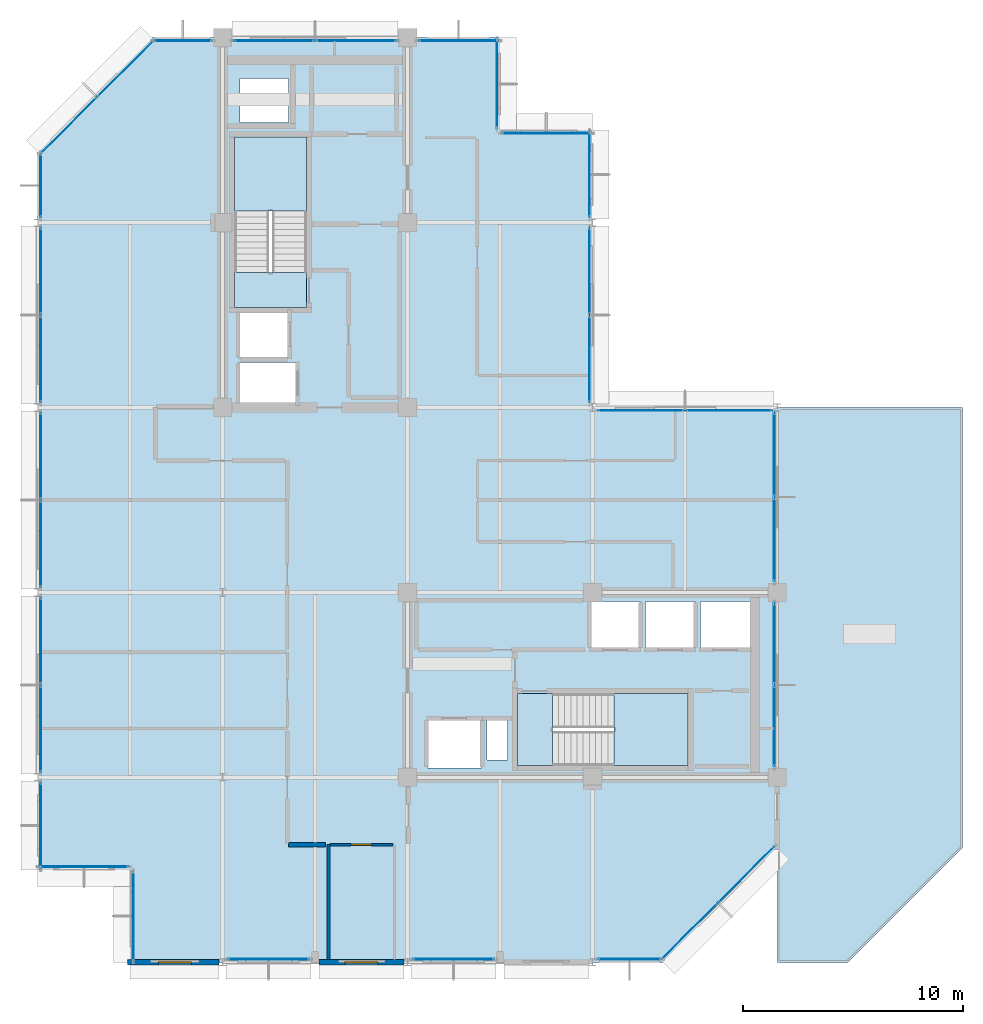
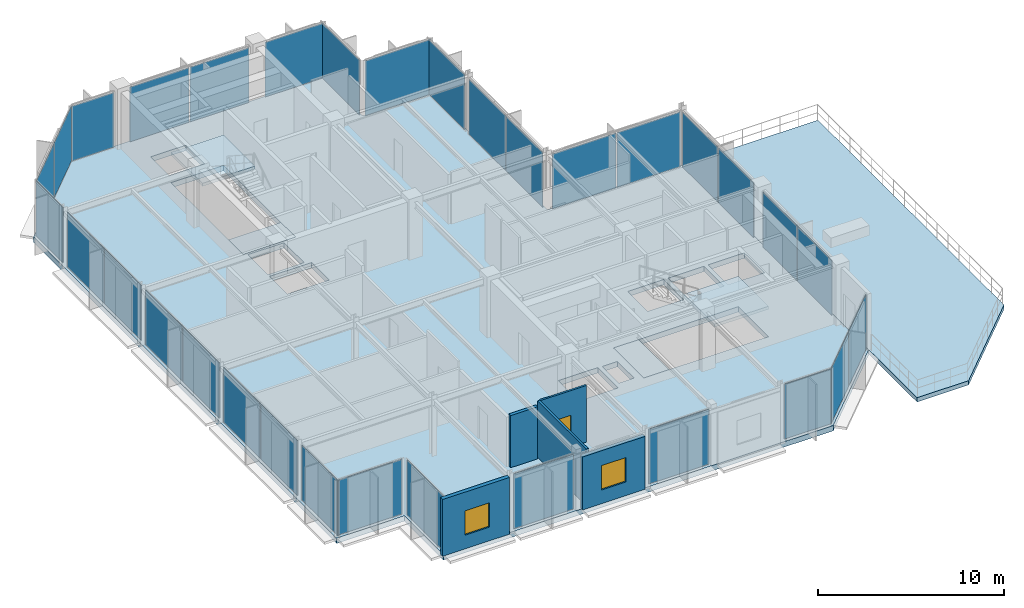
# One storey, part 16 of 23: 32 plates, 6 slabs, 5 walls, 2 windows, 1 door, 3 openings, 24 elements without a shape of their own.
"""IFC4 building model written with IfcOpenShell, lengths in metres."""

import ifcopenshell
import ifcopenshell.guid

model = None  # the IFC model being written
_history = None  # IfcOwnerHistory: only IFC2X3 demands one
_inside = {}  # id of a spatial element -> (the spatial element, [elements in it])
_under = {}  # id of a project, library or spatial element -> (it, [spatial elements below it])
_declared = {}  # id of a project -> (the project, [libraries it declares])
_typed = {}  # id of a type object -> (the type object, [elements of that type])
_made_of = {}  # id of a material, layer set ... -> (it, [elements and type objects made of it])


def new_model(schema):
    """Start an empty IFC model of exactly this schema.

    Asked for "IFC4X3", IfcOpenShell would pick the latest addendum, in which some entities
    have other attributes; the version numbers below select the first issue.
    IFC2X3 requires an IfcOwnerHistory on every rooted entity: one is made here for all.
    """
    global model, _history
    if schema == "IFC4X3":
        model = ifcopenshell.file(schema_version=(4, 3, 0, 0))
    else:
        model = ifcopenshell.file(schema=schema)
    _inside.clear()
    _under.clear()
    _declared.clear()
    _typed.clear()
    _made_of.clear()
    _history = None
    if model.schema == "IFC2X3":
        org = make("IfcOrganization", Name="unknown")
        user = make(
            "IfcPersonAndOrganization",
            ThePerson=make("IfcPerson", FamilyName="unknown"),
            TheOrganization=org,
        )
        app = make(
            "IfcApplication",
            ApplicationDeveloper=org,
            Version="unknown",
            ApplicationFullName="unknown",
            ApplicationIdentifier="unknown",
        )
        _history = make(
            "IfcOwnerHistory",
            OwningUser=user,
            OwningApplication=app,
            ChangeAction="ADDED",
            CreationDate=0,
        )
    return model


def make(cls, **values):
    """One entity of the class cls with the attributes given. An attribute that is None is left unset."""
    return model.create_entity(
        cls, **{name: value for name, value in values.items() if value is not None}
    )


def rooted(cls, **values):
    """An entity with a GlobalId (a new one), such as an element, a storey or a relation."""
    return make(cls, GlobalId=ifcopenshell.guid.new(), OwnerHistory=_history, **values)


def si_unit(unit_type, name, prefix=None):
    """IfcSIUnit, for example si_unit("LENGTHUNIT", "METRE", prefix="MILLI")."""
    return make("IfcSIUnit", UnitType=unit_type, Prefix=prefix, Name=name)


def assignment(units):
    """IfcUnitAssignment: the units of a project."""
    return None if units is None else make("IfcUnitAssignment", Units=units)


def point(xyz):
    """IfcCartesianPoint."""
    return None if xyz is None else make("IfcCartesianPoint", Coordinates=xyz)


def direction(xyz):
    """IfcDirection."""
    return None if xyz is None else make("IfcDirection", DirectionRatios=xyz)


def frame(location, z_axis=None, x_axis=None):
    """IfcAxis2Placement3D, a coordinate frame: its origin and axes. An axis left out is left unset."""
    return make(
        "IfcAxis2Placement3D",
        Location=point(location),
        Axis=direction(z_axis),
        RefDirection=direction(x_axis),
    )


def frame_2d(location, x_axis=None):
    """IfcAxis2Placement2D, a coordinate frame in the plane: its origin and x axis."""
    return make(
        "IfcAxis2Placement2D", Location=point(location), RefDirection=direction(x_axis)
    )


def origin():
    """The frame at (0, 0, 0) with its axes left unset."""
    return frame((0.0, 0.0, 0.0))


def origin_2d():
    """The frame at (0, 0) in the plane with its x axis left unset."""
    return frame_2d((0.0, 0.0))


def place(relative_to, where):
    """IfcLocalPlacement: puts the frame where relative to a parent placement (None: the world)."""
    return make(
        "IfcLocalPlacement", PlacementRelTo=relative_to, RelativePlacement=where
    )


def context(
    kind, dimensions, precision=None, world=None, true_north=None, identifier=None
):
    """IfcGeometricRepresentationContext, for example the 3D "Model" context."""
    return make(
        "IfcGeometricRepresentationContext",
        ContextIdentifier=identifier,
        ContextType=kind,
        CoordinateSpaceDimension=dimensions,
        Precision=precision,
        WorldCoordinateSystem=world,
        TrueNorth=true_north,
    )


def subcontext(parent, identifier, kind, view, scale=None):
    """IfcGeometricRepresentationSubContext, for example "Body" below "Model"."""
    return make(
        "IfcGeometricRepresentationSubContext",
        ContextIdentifier=identifier,
        ContextType=kind,
        ParentContext=parent,
        TargetScale=scale,
        TargetView=view,
    )


def project(units=None, contexts=None):
    """IfcProject with its units and contexts."""
    return rooted(
        "IfcProject",
        Name="project",
        RepresentationContexts=contexts,
        UnitsInContext=assignment(units),
    )


def spatial(cls, under=None, at=None, **own):
    """A site, building, storey or space (cls), placed at a placement, below another one or the project."""
    s = rooted(cls, ObjectPlacement=at, **own)
    if under is not None:
        _under.setdefault(under.id(), (under, []))[1].append(s)
    return s


def polyline(points):
    """IfcPolyline through the points."""
    return make("IfcPolyline", Points=[point(p) for p in points])


def profile(cls, at=None, kind="AREA", **sizes):
    """A parametric profile (cls). Its sizes go by their IFC names, for example OverallWidth=200.0."""
    return make(cls, ProfileType=kind, Position=at, **sizes)


def rectangle(**sizes):
    """IfcRectangleProfileDef."""
    return profile("IfcRectangleProfileDef", **sizes)


def outline(outer, holes=None, kind="AREA"):
    """IfcArbitraryClosedProfileDef: a profile drawn as a closed curve; with holes, ...WithVoids."""
    if holes is None:
        return make("IfcArbitraryClosedProfileDef", ProfileType=kind, OuterCurve=outer)
    return make(
        "IfcArbitraryProfileDefWithVoids",
        ProfileType=kind,
        OuterCurve=outer,
        InnerCurves=holes,
    )


def extrude(swept, where, along, depth):
    """IfcExtrudedAreaSolid: the profile swept, set in the frame where, extruded along a direction by depth."""
    return make(
        "IfcExtrudedAreaSolid",
        SweptArea=swept,
        Position=where,
        ExtrudedDirection=direction(along),
        Depth=depth,
    )


def shape(context_of_items, identifier, shape_type, items):
    """IfcShapeRepresentation: the items that make up one representation, for example the "Body"."""
    return make(
        "IfcShapeRepresentation",
        ContextOfItems=context_of_items,
        RepresentationIdentifier=identifier,
        RepresentationType=shape_type,
        Items=items,
    )


def material(Name=None, Category=None):
    """IfcMaterial."""
    return make("IfcMaterial", Name=Name, Category=Category)


def layer(
    of_material, thickness, ventilated=None, Name=None, Category=None, Priority=None
):
    """IfcMaterialLayer: one layer of a wall or slab, of a material (None: an air gap)."""
    return make(
        "IfcMaterialLayer",
        Material=of_material,
        LayerThickness=thickness,
        IsVentilated=ventilated,
        Name=Name,
        Category=Category,
        Priority=Priority,
    )


def layer_set(layers, Name=None):
    """IfcMaterialLayerSet."""
    return make("IfcMaterialLayerSet", MaterialLayers=layers, LayerSetName=Name)


def made_of(thing, what):
    """Note that an element or type object is made of a material, layer set ...; save() writes the relation."""
    if what is not None:
        _made_of.setdefault(what.id(), (what, []))[1].append(thing)
    return thing


def type_object(cls, material=None, **own):
    """A type object (cls), such as IfcWallType, which elements share."""
    return made_of(rooted(cls, **own), material)


def element(
    cls,
    number,
    at=None,
    inside=None,
    cuts=None,
    type_object=None,
    material=None,
    context=None,
    identifier="Body",
    shape_type=None,
    held_by="IfcProductDefinitionShape",
    body=None,
    shapes=None,
    **own,
):
    """One element of the class cls, such as IfcWall. Its Tag is "e" and its number.

    at: its placement. inside: the storey or other place that contains it. cuts: it is an
    opening in that element (IfcRelVoidsElement). A single representation is given by context,
    identifier, shape_type and body (its items); several are given by shapes. held_by: the class
    of the entity that holds the representations. save() writes the other relations.
    """
    e = rooted(cls, Tag="e%d" % number, ObjectPlacement=at, **own)
    if body is not None:
        shapes = [shape(context, identifier, shape_type, body)]
    if shapes is not None:
        e.Representation = make(held_by, Representations=shapes)
    if inside is not None:
        _inside.setdefault(inside.id(), (inside, []))[1].append(e)
    if cuts is not None:
        rooted(
            "IfcRelVoidsElement", RelatingBuildingElement=cuts, RelatedOpeningElement=e
        )
    if type_object is not None:
        _typed.setdefault(type_object.id(), (type_object, []))[1].append(e)
    return made_of(e, material)


def fill(opening, filler):
    """IfcRelFillsElement: the door or window that sits in an opening."""
    return rooted(
        "IfcRelFillsElement",
        RelatingOpeningElement=opening,
        RelatedBuildingElement=filler,
    )


def aggregate(whole, parts):
    """IfcRelAggregates: a whole, such as a stair, and the parts it consists of."""
    return rooted("IfcRelAggregates", RelatingObject=whole, RelatedObjects=parts)


def save(model, path):
    """Write the relations noted so far, then the file.

    IfcRelAggregates (storeys below a building ...), IfcRelContainedInSpatialStructure (elements
    in a storey), IfcRelDefinesByType, IfcRelAssociatesMaterial and IfcRelDeclares: one each for
    every whole, place, type object, material and project.
    """
    for whole, parts in _under.values():
        aggregate(whole, parts)
    for where, things in _inside.values():
        rooted(
            "IfcRelContainedInSpatialStructure",
            RelatedElements=things,
            RelatingStructure=where,
        )
    for kind, things in _typed.values():
        rooted("IfcRelDefinesByType", RelatedObjects=things, RelatingType=kind)
    for what, things in _made_of.values():
        rooted("IfcRelAssociatesMaterial", RelatedObjects=things, RelatingMaterial=what)
    for by, libraries in _declared.values():
        rooted("IfcRelDeclares", RelatingContext=by, RelatedDefinitions=libraries)
    model.write(path)


model = new_model("IFC4")

# Units and contexts
model_context = context("Model", 3, precision=1e-05, world=origin(), true_north=direction((0.0, 1.0)))
body_context = subcontext(model_context, "Body", "Model", "MODEL_VIEW")
ifc_project = project(units=[si_unit("LENGTHUNIT", "METRE"), si_unit("AREAUNIT", "SQUARE_METRE"), si_unit("VOLUMEUNIT", "CUBIC_METRE"), si_unit("PLANEANGLEUNIT", "RADIAN"), si_unit("MASSUNIT", "GRAM", prefix="KILO")], contexts=[model_context])

# Site, building, storey
site_placement = place(None, origin())
site = spatial("IfcSite", under=ifc_project, at=site_placement, CompositionType="ELEMENT")
building_placement = place(site_placement, origin())
building = spatial("IfcBuilding", under=site, at=building_placement, Name="Nerrivon Quay Data Exchange", CompositionType="ELEMENT")
storey_placement = place(building_placement, frame((0.0, 0.0, 286.199951171875)))
storey = spatial("IfcBuildingStorey", under=building, at=storey_placement, Name="L68", CompositionType="ELEMENT", Elevation=286.199951171875)

# Curtain wall, plates
ifc_material_1 = material(Name="Anodised aluminium 6063-T6", Category="aluminium")
ifc_layer_1 = layer(ifc_material_1, 0.22998046875)
ifc_layer_set_1 = layer_set([ifc_layer_1], Name="Anodised aluminium 6063-T6")
curtain_wall_type = type_object("IfcCurtainWallType", Name="CW-SYS-05", PredefinedType="NOTDEFINED", material=ifc_layer_set_1)
curtain_wall_1_placement = place(storey_placement, origin())
curtain_wall_1 = element("IfcCurtainWall", 1, at=curtain_wall_1_placement, inside=storey, type_object=curtain_wall_type, Name="L68 Unitised Curtain Wall 1", PredefinedType="NOTDEFINED")
ifc_material_2 = material(Name="Double-glazed low-E solar control glass", Category="glass")
ifc_layer_2 = layer(ifc_material_2, 0.031982421875)
ifc_layer_set_2 = layer_set([ifc_layer_2], Name="Double-glazed low-E solar control glass")
plate_type = type_object("IfcPlateType", Name="CWP-GLZ-32", PredefinedType="CURTAIN_PANEL", material=ifc_layer_set_2)
plate_1_placement = place(storey_placement, frame((32.187744140625, 3.98583984375, 0.06494140625), z_axis=(0.0, 0.0, 1.0), x_axis=(-0.707106781187, -0.707106781187, 0.0)))
plate_1 = element("IfcPlate", 2, at=plate_1_placement, type_object=plate_type, Name="CW05 panel 1.1", PredefinedType="CURTAIN_PANEL", context=body_context, shape_type="SweptSolid", body=[
    extrude(rectangle(XDim=3.564453125, YDim=0.028076171875, at=origin_2d()), origin(), (0.0, 0.0, 1.0), 3.594970703125),
])
plate_2_placement = place(storey_placement, frame((29.6142578125, 1.412353515625, 0.06494140625), z_axis=(0.0, 0.0, 1.0), x_axis=(-0.707106781187, -0.707106781187, 0.0)))
plate_2 = element("IfcPlate", 3, at=plate_2_placement, type_object=plate_type, Name="CW05 panel 2.1", PredefinedType="CURTAIN_PANEL", context=body_context, shape_type="SweptSolid", body=[
    extrude(rectangle(XDim=3.564453125, YDim=0.028076171875, at=origin_2d()), origin(), (0.0, 0.0, 1.0), 3.594970703125),
])
aggregate(curtain_wall_1, [plate_1, plate_2])

# Curtain wall, plate
curtain_wall_2_placement = place(storey_placement, origin())
curtain_wall_2 = element("IfcCurtainWall", 4, at=curtain_wall_2_placement, inside=storey, type_object=curtain_wall_type, Name="L68 Unitised Curtain Wall 2", PredefinedType="NOTDEFINED")
plate_3_placement = place(storey_placement, frame((26.877685546875, 0.139892578125, 0.06494140625), z_axis=(0.0, 0.0, 1.0), x_axis=(-1.0, 0.0, 0.0)))
plate_3 = element("IfcPlate", 5, at=plate_3_placement, type_object=plate_type, Name="CW05 panel 1.1", PredefinedType="CURTAIN_PANEL", context=body_context, shape_type="SweptSolid", body=[
    extrude(rectangle(XDim=2.89453125, YDim=0.028076171875, at=origin_2d()), origin(), (0.0, 0.0, 1.0), 3.594970703125),
])
aggregate(curtain_wall_2, [plate_3])

curtain_wall_3_placement = place(storey_placement, origin())
curtain_wall_3 = element("IfcCurtainWall", 6, at=curtain_wall_3_placement, inside=storey, type_object=curtain_wall_type, Name="L68 Unitised Curtain Wall 4", PredefinedType="NOTDEFINED")
plate_4_placement = place(storey_placement, frame((18.89013671875, 0.139892578125, 0.06494140625), z_axis=(0.0, 0.0, 1.0), x_axis=(-1.0, 0.0, 0.0)))
plate_4 = element("IfcPlate", 7, at=plate_4_placement, type_object=plate_type, Name="CW05 panel 1.1", PredefinedType="CURTAIN_PANEL", context=body_context, shape_type="SweptSolid", body=[
    extrude(rectangle(XDim=3.719482421875, YDim=0.028076171875, at=origin_2d()), origin(), (0.0, 0.0, 1.0), 3.594970703125),
])
aggregate(curtain_wall_3, [plate_4])

curtain_wall_4_placement = place(storey_placement, origin())
curtain_wall_4 = element("IfcCurtainWall", 8, at=curtain_wall_4_placement, inside=storey, type_object=curtain_wall_type, Name="L68 Unitised Curtain Wall 6", PredefinedType="NOTDEFINED")
plate_5_placement = place(storey_placement, frame((10.490234375, 0.139892578125, 0.06494140625), z_axis=(0.0, 0.0, 1.0), x_axis=(-1.0, 0.0, 0.0)))
plate_5 = element("IfcPlate", 9, at=plate_5_placement, type_object=plate_type, Name="CW05 panel 1.1", PredefinedType="CURTAIN_PANEL", context=body_context, shape_type="SweptSolid", body=[
    extrude(rectangle(XDim=3.719482421875, YDim=0.028076171875, at=origin_2d()), origin(), (0.0, 0.0, 1.0), 3.594970703125),
])
aggregate(curtain_wall_4, [plate_5])

curtain_wall_5_placement = place(storey_placement, origin())
curtain_wall_5 = element("IfcCurtainWall", 10, at=curtain_wall_5_placement, inside=storey, type_object=curtain_wall_type, Name="L68 Unitised Curtain Wall 8", PredefinedType="NOTDEFINED")
plate_6_placement = place(storey_placement, frame((4.340087890625, 2.10009765625, 0.06494140625), z_axis=(0.0, 0.0, 1.0), x_axis=(0.0, 1.0, 0.0)))
plate_6 = element("IfcPlate", 11, at=plate_6_placement, type_object=plate_type, Name="CW05 panel 1.1", PredefinedType="CURTAIN_PANEL", context=body_context, shape_type="SweptSolid", body=[
    extrude(rectangle(XDim=4.050048828125, YDim=0.028076171875, at=origin_2d()), origin(), (0.0, 0.0, 1.0), 3.594970703125),
])
aggregate(curtain_wall_5, [plate_6])

curtain_wall_6_placement = place(storey_placement, origin())
curtain_wall_6 = element("IfcCurtainWall", 12, at=curtain_wall_6_placement, inside=storey, type_object=curtain_wall_type, Name="L68 Unitised Curtain Wall 9", PredefinedType="NOTDEFINED")
plate_7_placement = place(storey_placement, frame((2.10009765625, 4.340087890625, 0.06494140625), z_axis=(0.0, 0.0, 1.0), x_axis=(-1.0, 0.0, 0.0)))
plate_7 = element("IfcPlate", 13, at=plate_7_placement, type_object=plate_type, Name="CW05 panel 1.1", PredefinedType="CURTAIN_PANEL", context=body_context, shape_type="SweptSolid", body=[
    extrude(rectangle(XDim=4.050048828125, YDim=0.028076171875, at=origin_2d()), origin(), (0.0, 0.0, 1.0), 3.594970703125),
])
aggregate(curtain_wall_6, [plate_7])

curtain_wall_7_placement = place(storey_placement, origin())
curtain_wall_7 = element("IfcCurtainWall", 14, at=curtain_wall_7_placement, inside=storey, type_object=curtain_wall_type, Name="L68 Unitised Curtain Wall 10", PredefinedType="NOTDEFINED")
plate_8_placement = place(storey_placement, frame((0.139892578125, 6.21826171875, 0.06494140625), z_axis=(0.0, 0.0, 1.0), x_axis=(0.0, 1.0, 0.0)))
plate_8 = element("IfcPlate", 15, at=plate_8_placement, type_object=plate_type, Name="CW05 panel 1.1", PredefinedType="CURTAIN_PANEL", context=body_context, shape_type="SweptSolid", body=[
    extrude(rectangle(XDim=3.886474609375, YDim=0.028076171875, at=origin_2d()), origin(), (0.0, 0.0, 1.0), 3.594970703125),
])
aggregate(curtain_wall_7, [plate_8])

# Curtain wall, plates
curtain_wall_8_placement = place(storey_placement, origin())
curtain_wall_8 = element("IfcCurtainWall", 16, at=curtain_wall_8_placement, inside=storey, type_object=curtain_wall_type, Name="L68 Unitised Curtain Wall 11", PredefinedType="NOTDEFINED")
plate_9_placement = place(storey_placement, frame((0.139892578125, 10.6005859375, 0.06494140625), z_axis=(0.0, 0.0, 1.0), x_axis=(0.0, 1.0, 0.0)))
plate_9 = element("IfcPlate", 17, at=plate_9_placement, type_object=plate_type, Name="CW05 panel 1.1", PredefinedType="CURTAIN_PANEL", context=body_context, shape_type="SweptSolid", body=[
    extrude(rectangle(XDim=3.924072265625, YDim=0.028076171875, at=origin_2d()), origin(), (0.0, 0.0, 1.0), 3.594970703125),
])
plate_10_placement = place(storey_placement, frame((0.139892578125, 14.599609375, 0.06494140625), z_axis=(0.0, 0.0, 1.0), x_axis=(0.0, 1.0, 0.0)))
plate_10 = element("IfcPlate", 18, at=plate_10_placement, type_object=plate_type, Name="CW05 panel 2.1", PredefinedType="CURTAIN_PANEL", context=body_context, shape_type="SweptSolid", body=[
    extrude(rectangle(XDim=3.924072265625, YDim=0.028076171875, at=origin_2d()), origin(), (0.0, 0.0, 1.0), 3.594970703125),
])
aggregate(curtain_wall_8, [plate_9, plate_10])

curtain_wall_9_placement = place(storey_placement, origin())
curtain_wall_9 = element("IfcCurtainWall", 19, at=curtain_wall_9_placement, inside=storey, type_object=curtain_wall_type, Name="L68 Unitised Curtain Wall 12", PredefinedType="NOTDEFINED")
plate_11_placement = place(storey_placement, frame((0.139892578125, 19.00048828125, 0.06494140625), z_axis=(0.0, 0.0, 1.0), x_axis=(0.0, 1.0, 0.0)))
plate_11 = element("IfcPlate", 20, at=plate_11_placement, type_object=plate_type, Name="CW05 panel 1.1", PredefinedType="CURTAIN_PANEL", context=body_context, shape_type="SweptSolid", body=[
    extrude(rectangle(XDim=3.924072265625, YDim=0.028076171875, at=origin_2d()), origin(), (0.0, 0.0, 1.0), 3.594970703125),
])
plate_12_placement = place(storey_placement, frame((0.139892578125, 22.99951171875, 0.06494140625), z_axis=(0.0, 0.0, 1.0), x_axis=(0.0, 1.0, 0.0)))
plate_12 = element("IfcPlate", 21, at=plate_12_placement, type_object=plate_type, Name="CW05 panel 2.1", PredefinedType="CURTAIN_PANEL", context=body_context, shape_type="SweptSolid", body=[
    extrude(rectangle(XDim=3.924072265625, YDim=0.028076171875, at=origin_2d()), origin(), (0.0, 0.0, 1.0), 3.594970703125),
])
aggregate(curtain_wall_9, [plate_11, plate_12])

curtain_wall_10_placement = place(storey_placement, origin())
curtain_wall_10 = element("IfcCurtainWall", 22, at=curtain_wall_10_placement, inside=storey, type_object=curtain_wall_type, Name="L68 Unitised Curtain Wall 13", PredefinedType="NOTDEFINED")
plate_13_placement = place(storey_placement, frame((0.139892578125, 27.400390625, 0.06494140625), z_axis=(0.0, 0.0, 1.0), x_axis=(0.0, 1.0, 0.0)))
plate_13 = element("IfcPlate", 23, at=plate_13_placement, type_object=plate_type, Name="CW05 panel 1.1", PredefinedType="CURTAIN_PANEL", context=body_context, shape_type="SweptSolid", body=[
    extrude(rectangle(XDim=3.924072265625, YDim=0.028076171875, at=origin_2d()), origin(), (0.0, 0.0, 1.0), 3.594970703125),
])
plate_14_placement = place(storey_placement, frame((0.139892578125, 31.3994140625, 0.06494140625), z_axis=(0.0, 0.0, 1.0), x_axis=(0.0, 1.0, 0.0)))
plate_14 = element("IfcPlate", 24, at=plate_14_placement, type_object=plate_type, Name="CW05 panel 2.1", PredefinedType="CURTAIN_PANEL", context=body_context, shape_type="SweptSolid", body=[
    extrude(rectangle(XDim=3.924072265625, YDim=0.028076171875, at=origin_2d()), origin(), (0.0, 0.0, 1.0), 3.594970703125),
])
aggregate(curtain_wall_10, [plate_13, plate_14])

# Curtain wall, plate
curtain_wall_11_placement = place(storey_placement, origin())
curtain_wall_11 = element("IfcCurtainWall", 25, at=curtain_wall_11_placement, inside=storey, type_object=curtain_wall_type, Name="L68 Unitised Curtain Wall 14", PredefinedType="NOTDEFINED")
plate_15_placement = place(storey_placement, frame((0.139892578125, 35.28173828125, 0.06494140625), z_axis=(0.0, 0.0, 1.0), x_axis=(0.0, 1.0, 0.0)))
plate_15 = element("IfcPlate", 26, at=plate_15_placement, type_object=plate_type, Name="CW05 panel 1.1", PredefinedType="CURTAIN_PANEL", context=body_context, shape_type="SweptSolid", body=[
    extrude(rectangle(XDim=2.886474609375, YDim=0.028076171875, at=origin_2d()), origin(), (0.0, 0.0, 1.0), 3.594970703125),
])
aggregate(curtain_wall_11, [plate_15])

# Curtain wall, plates
curtain_wall_12_placement = place(storey_placement, origin())
curtain_wall_12 = element("IfcCurtainWall", 27, at=curtain_wall_12_placement, inside=storey, type_object=curtain_wall_type, Name="L68 Unitised Curtain Wall 15", PredefinedType="NOTDEFINED")
plate_16_placement = place(storey_placement, frame((1.412353515625, 38.01416015625, 0.06494140625), z_axis=(0.0, 0.0, 1.0), x_axis=(0.707106781187, 0.707106781187, 0.0)))
plate_16 = element("IfcPlate", 28, at=plate_16_placement, type_object=plate_type, Name="CW05 panel 1.1", PredefinedType="CURTAIN_PANEL", context=body_context, shape_type="SweptSolid", body=[
    extrude(rectangle(XDim=3.564453125, YDim=0.028076171875, at=origin_2d()), origin(), (0.0, 0.0, 1.0), 3.594970703125),
])
plate_17_placement = place(storey_placement, frame((3.98583984375, 40.587646484375, 0.06494140625), z_axis=(0.0, 0.0, 1.0), x_axis=(0.707106781187, 0.707106781187, 0.0)))
plate_17 = element("IfcPlate", 29, at=plate_17_placement, type_object=plate_type, Name="CW05 panel 2.1", PredefinedType="CURTAIN_PANEL", context=body_context, shape_type="SweptSolid", body=[
    extrude(rectangle(XDim=3.564453125, YDim=0.028076171875, at=origin_2d()), origin(), (0.0, 0.0, 1.0), 3.594970703125),
])
aggregate(curtain_wall_12, [plate_16, plate_17])

# Curtain wall, plate
curtain_wall_13_placement = place(storey_placement, origin())
curtain_wall_13 = element("IfcCurtainWall", 30, at=curtain_wall_13_placement, inside=storey, type_object=curtain_wall_type, Name="L68 Unitised Curtain Wall 16", PredefinedType="NOTDEFINED")
plate_18_placement = place(storey_placement, frame((6.58740234375, 41.860107421875, 0.06494140625), z_axis=(0.0, 0.0, 1.0), x_axis=(1.0, 0.0, 0.0)))
plate_18 = element("IfcPlate", 31, at=plate_18_placement, type_object=plate_type, Name="CW05 panel 1.1", PredefinedType="CURTAIN_PANEL", context=body_context, shape_type="SweptSolid", body=[
    extrude(rectangle(XDim=2.625, YDim=0.028076171875, at=origin_2d()), origin(), (0.0, 0.0, 1.0), 3.594970703125),
])
aggregate(curtain_wall_13, [plate_18])

# Curtain wall, plates
curtain_wall_14_placement = place(storey_placement, origin())
curtain_wall_14 = element("IfcCurtainWall", 32, at=curtain_wall_14_placement, inside=storey, type_object=curtain_wall_type, Name="L68 Unitised Curtain Wall 17", PredefinedType="NOTDEFINED")
plate_19_placement = place(storey_placement, frame((10.731201171875, 41.860107421875, 0.06494140625), z_axis=(0.0, 0.0, 1.0), x_axis=(1.0, 0.0, 0.0)))
plate_19 = element("IfcPlate", 33, at=plate_19_placement, type_object=plate_type, Name="CW05 panel 1.1", PredefinedType="CURTAIN_PANEL", context=body_context, shape_type="SweptSolid", body=[
    extrude(rectangle(XDim=3.66259765625, YDim=0.028076171875, at=origin_2d()), origin(), (0.0, 0.0, 1.0), 3.594970703125),
])
plate_20_placement = place(storey_placement, frame((14.46875, 41.860107421875, 0.06494140625), z_axis=(0.0, 0.0, 1.0), x_axis=(1.0, 0.0, 0.0)))
plate_20 = element("IfcPlate", 34, at=plate_20_placement, type_object=plate_type, Name="CW05 panel 2.1", PredefinedType="CURTAIN_PANEL", context=body_context, shape_type="SweptSolid", body=[
    extrude(rectangle(XDim=3.66259765625, YDim=0.028076171875, at=origin_2d()), origin(), (0.0, 0.0, 1.0), 3.594970703125),
])
aggregate(curtain_wall_14, [plate_19, plate_20])

# Curtain wall, plate
curtain_wall_15_placement = place(storey_placement, origin())
curtain_wall_15 = element("IfcCurtainWall", 35, at=curtain_wall_15_placement, inside=storey, type_object=curtain_wall_type, Name="L68 Unitised Curtain Wall 18", PredefinedType="NOTDEFINED")
plate_21_placement = place(storey_placement, frame((19.112548828125, 41.860107421875, 0.06494140625), z_axis=(0.0, 0.0, 1.0), x_axis=(1.0, 0.0, 0.0)))
plate_21 = element("IfcPlate", 36, at=plate_21_placement, type_object=plate_type, Name="CW05 panel 1.1", PredefinedType="CURTAIN_PANEL", context=body_context, shape_type="SweptSolid", body=[
    extrude(rectangle(XDim=3.625, YDim=0.028076171875, at=origin_2d()), origin(), (0.0, 0.0, 1.0), 3.594970703125),
])
aggregate(curtain_wall_15, [plate_21])

curtain_wall_16_placement = place(storey_placement, origin())
curtain_wall_16 = element("IfcCurtainWall", 37, at=curtain_wall_16_placement, inside=storey, type_object=curtain_wall_type, Name="L68 Unitised Curtain Wall 19", PredefinedType="NOTDEFINED")
plate_22_placement = place(storey_placement, frame((20.860107421875, 39.89990234375, 0.06494140625), z_axis=(0.0, 0.0, 1.0), x_axis=(0.0, -1.0, 0.0)))
plate_22 = element("IfcPlate", 38, at=plate_22_placement, type_object=plate_type, Name="CW05 panel 1.1", PredefinedType="CURTAIN_PANEL", context=body_context, shape_type="SweptSolid", body=[
    extrude(rectangle(XDim=4.050048828125, YDim=0.028076171875, at=origin_2d()), origin(), (0.0, 0.0, 1.0), 3.594970703125),
])
aggregate(curtain_wall_16, [plate_22])

curtain_wall_17_placement = place(storey_placement, origin())
curtain_wall_17 = element("IfcCurtainWall", 39, at=curtain_wall_17_placement, inside=storey, type_object=curtain_wall_type, Name="L68 Unitised Curtain Wall 20", PredefinedType="NOTDEFINED")
plate_23_placement = place(storey_placement, frame((23.10009765625, 37.659912109375, 0.06494140625), z_axis=(0.0, 0.0, 1.0), x_axis=(1.0, 0.0, 0.0)))
plate_23 = element("IfcPlate", 40, at=plate_23_placement, type_object=plate_type, Name="CW05 panel 1.1", PredefinedType="CURTAIN_PANEL", context=body_context, shape_type="SweptSolid", body=[
    extrude(rectangle(XDim=4.050048828125, YDim=0.028076171875, at=origin_2d()), origin(), (0.0, 0.0, 1.0), 3.594970703125),
])
aggregate(curtain_wall_17, [plate_23])

curtain_wall_18_placement = place(storey_placement, origin())
curtain_wall_18 = element("IfcCurtainWall", 41, at=curtain_wall_18_placement, inside=storey, type_object=curtain_wall_type, Name="L68 Unitised Curtain Wall 21", PredefinedType="NOTDEFINED")
plate_24_placement = place(storey_placement, frame((25.06005859375, 35.78173828125, 0.06494140625), z_axis=(0.0, 0.0, 1.0), x_axis=(0.0, -1.0, 0.0)))
plate_24 = element("IfcPlate", 42, at=plate_24_placement, type_object=plate_type, Name="CW05 panel 1.1", PredefinedType="CURTAIN_PANEL", context=body_context, shape_type="SweptSolid", body=[
    extrude(rectangle(XDim=3.886474609375, YDim=0.028076171875, at=origin_2d()), origin(), (0.0, 0.0, 1.0), 3.594970703125),
])
aggregate(curtain_wall_18, [plate_24])

# Curtain wall, plates
curtain_wall_19_placement = place(storey_placement, origin())
curtain_wall_19 = element("IfcCurtainWall", 43, at=curtain_wall_19_placement, inside=storey, type_object=curtain_wall_type, Name="L68 Unitised Curtain Wall 22", PredefinedType="NOTDEFINED")
plate_25_placement = place(storey_placement, frame((25.06005859375, 31.3994140625, 0.06494140625), z_axis=(0.0, 0.0, 1.0), x_axis=(0.0, -1.0, 0.0)))
plate_25 = element("IfcPlate", 44, at=plate_25_placement, type_object=plate_type, Name="CW05 panel 1.1", PredefinedType="CURTAIN_PANEL", context=body_context, shape_type="SweptSolid", body=[
    extrude(rectangle(XDim=3.924072265625, YDim=0.028076171875, at=origin_2d()), origin(), (0.0, 0.0, 1.0), 3.594970703125),
])
plate_26_placement = place(storey_placement, frame((25.06005859375, 27.400390625, 0.06494140625), z_axis=(0.0, 0.0, 1.0), x_axis=(0.0, -1.0, 0.0)))
plate_26 = element("IfcPlate", 45, at=plate_26_placement, type_object=plate_type, Name="CW05 panel 2.1", PredefinedType="CURTAIN_PANEL", context=body_context, shape_type="SweptSolid", body=[
    extrude(rectangle(XDim=3.924072265625, YDim=0.028076171875, at=origin_2d()), origin(), (0.0, 0.0, 1.0), 3.594970703125),
])
aggregate(curtain_wall_19, [plate_25, plate_26])

curtain_wall_20_placement = place(storey_placement, origin())
curtain_wall_20 = element("IfcCurtainWall", 46, at=curtain_wall_20_placement, inside=storey, type_object=curtain_wall_type, Name="L68 Unitised Curtain Wall 23", PredefinedType="NOTDEFINED")
plate_27_placement = place(storey_placement, frame((27.396484375, 25.06005859375, 0.06494140625), z_axis=(0.0, 0.0, 1.0), x_axis=(1.0, 0.0, 0.0)))
plate_27 = element("IfcPlate", 47, at=plate_27_placement, type_object=plate_type, Name="CW05 panel 1.1", PredefinedType="CURTAIN_PANEL", context=body_context, shape_type="SweptSolid", body=[
    extrude(rectangle(XDim=3.931884765625, YDim=0.028076171875, at=origin_2d()), origin(), (0.0, 0.0, 1.0), 3.594970703125),
])
plate_28_placement = place(storey_placement, frame((31.403564453125, 25.06005859375, 0.06494140625), z_axis=(0.0, 0.0, 1.0), x_axis=(1.0, 0.0, 0.0)))
plate_28 = element("IfcPlate", 48, at=plate_28_placement, type_object=plate_type, Name="CW05 panel 2.1", PredefinedType="CURTAIN_PANEL", context=body_context, shape_type="SweptSolid", body=[
    extrude(rectangle(XDim=3.931884765625, YDim=0.028076171875, at=origin_2d()), origin(), (0.0, 0.0, 1.0), 3.594970703125),
])
aggregate(curtain_wall_20, [plate_27, plate_28])

curtain_wall_21_placement = place(storey_placement, origin())
curtain_wall_21 = element("IfcCurtainWall", 49, at=curtain_wall_21_placement, inside=storey, type_object=curtain_wall_type, Name="L68 Unitised Curtain Wall 24", PredefinedType="NOTDEFINED")
plate_29_placement = place(storey_placement, frame((33.4599609375, 23.06494140625, 0.06494140625), z_axis=(0.0, 0.0, 1.0), x_axis=(0.0, -1.0, 0.0)))
plate_29 = element("IfcPlate", 50, at=plate_29_placement, type_object=plate_type, Name="CW05 panel 1.1", PredefinedType="CURTAIN_PANEL", context=body_context, shape_type="SweptSolid", body=[
    extrude(rectangle(XDim=3.793212890625, YDim=0.028076171875, at=origin_2d()), origin(), (0.0, 0.0, 1.0), 3.594970703125),
])
plate_30_placement = place(storey_placement, frame((33.4599609375, 19.196533203125, 0.06494140625), z_axis=(0.0, 0.0, 1.0), x_axis=(0.0, -1.0, 0.0)))
plate_30 = element("IfcPlate", 51, at=plate_30_placement, type_object=plate_type, Name="CW05 panel 2.1", PredefinedType="CURTAIN_PANEL", context=body_context, shape_type="SweptSolid", body=[
    extrude(rectangle(XDim=3.793212890625, YDim=0.028076171875, at=origin_2d()), origin(), (0.0, 0.0, 1.0), 3.594970703125),
])
aggregate(curtain_wall_21, [plate_29, plate_30])

curtain_wall_22_placement = place(storey_placement, origin())
curtain_wall_22 = element("IfcCurtainWall", 52, at=curtain_wall_22_placement, inside=storey, type_object=curtain_wall_type, Name="L68 Unitised Curtain Wall 25", PredefinedType="NOTDEFINED")
plate_31_placement = place(storey_placement, frame((33.4599609375, 14.46875, 0.06494140625), z_axis=(0.0, 0.0, 1.0), x_axis=(0.0, -1.0, 0.0)))
plate_31 = element("IfcPlate", 53, at=plate_31_placement, type_object=plate_type, Name="CW05 panel 1.1", PredefinedType="CURTAIN_PANEL", context=body_context, shape_type="SweptSolid", body=[
    extrude(rectangle(XDim=3.66259765625, YDim=0.028076171875, at=origin_2d()), origin(), (0.0, 0.0, 1.0), 3.594970703125),
])
plate_32_placement = place(storey_placement, frame((33.4599609375, 10.731201171875, 0.06494140625), z_axis=(0.0, 0.0, 1.0), x_axis=(0.0, -1.0, 0.0)))
plate_32 = element("IfcPlate", 54, at=plate_32_placement, type_object=plate_type, Name="CW05 panel 2.1", PredefinedType="CURTAIN_PANEL", context=body_context, shape_type="SweptSolid", body=[
    extrude(rectangle(XDim=3.66259765625, YDim=0.028076171875, at=origin_2d()), origin(), (0.0, 0.0, 1.0), 3.594970703125),
])
aggregate(curtain_wall_22, [plate_31, plate_32])

# Stair, slab
ifc_material_3 = material(Name="Concrete N50 (50 MPa)", Category="concrete")
stair_type = type_object("IfcStairType", Name="STAIR-DOG-40", PredefinedType="HALF_TURN_STAIR", material=ifc_material_3)
stair_1_placement = place(storey_placement, origin())
stair_1 = element("IfcStair", 55, at=stair_1_placement, inside=storey, type_object=stair_type, Name="L68 West Core Fire Stair ST01", PredefinedType="HALF_TURN_STAIR")
ifc_layer_3 = layer(ifc_material_3, 0.199951171875)
ifc_layer_set_3 = layer_set([ifc_layer_3], Name="Concrete N50 (50 MPa)")
slab_type_1 = type_object("IfcSlabType", Name="SLB-LAND-200", PredefinedType="LANDING", material=ifc_layer_set_3)
slab_1_placement = place(storey_placement, frame((0.0, 0.0, 1.800048828125)))
slab_1 = element("IfcSlab", 56, at=slab_1_placement, type_object=slab_type_1, Name="ST01 landing 1", PredefinedType="LANDING", context=body_context, shape_type="SweptSolid", body=[
    extrude(outline(polyline([(12.199951171875, 34.1298828125), (12.199951171875, 37.5), (8.949951171875, 37.5), (8.949951171875, 34.1298828125), (12.199951171875, 34.1298828125)])), origin(), (0.0, 0.0, 1.0), 0.199951171875),
])
aggregate(stair_1, [slab_1])

# Slab
slab_2_placement = place(storey_placement, frame((0.0, 0.0, -0.199951171875)))
element("IfcSlab", 57, at=slab_2_placement, inside=storey, type_object=slab_type_1, Name="L68 ST01 floor landing", PredefinedType="LANDING", context=body_context, shape_type="SweptSolid", body=[
    extrude(outline(polyline([(12.199951171875, 29.75), (12.199951171875, 31.330078125), (8.949951171875, 31.330078125), (8.949951171875, 29.75), (12.199951171875, 29.75)])), origin(), (0.0, 0.0, 1.0), 0.199951171875),
])

# Stair, slab
stair_2_placement = place(storey_placement, origin())
stair_2 = element("IfcStair", 58, at=stair_2_placement, inside=storey, type_object=stair_type, Name="L68 East Core Fire Stair ST02", PredefinedType="HALF_TURN_STAIR")
slab_3_placement = place(storey_placement, frame((0.0, 0.0, 1.800048828125)))
slab_3 = element("IfcSlab", 59, at=slab_3_placement, type_object=slab_type_1, Name="ST02 landing 1", PredefinedType="LANDING", context=body_context, shape_type="SweptSolid", body=[
    extrude(outline(polyline([(26.179931640625, 8.949951171875), (29.550048828125, 8.949951171875), (29.550048828125, 12.199951171875), (26.179931640625, 12.199951171875), (26.179931640625, 8.949951171875)])), origin(), (0.0, 0.0, 1.0), 0.199951171875),
])
aggregate(stair_2, [slab_3])

# Slabs
slab_4_placement = place(storey_placement, frame((0.0, 0.0, -0.199951171875)))
element("IfcSlab", 60, at=slab_4_placement, inside=storey, type_object=slab_type_1, Name="L68 ST02 floor landing", PredefinedType="LANDING", context=body_context, shape_type="SweptSolid", body=[
    extrude(outline(polyline([(21.800048828125, 8.949951171875), (23.3798828125, 8.949951171875), (23.3798828125, 12.199951171875), (21.800048828125, 12.199951171875), (21.800048828125, 8.949951171875)])), origin(), (0.0, 0.0, 1.0), 0.199951171875),
])
ifc_layer_4 = layer(ifc_material_3, 0.280029296875)
ifc_layer_set_4 = layer_set([ifc_layer_4], Name="Concrete N50 (50 MPa)")
slab_type_2 = type_object("IfcSlabType", Name="SLB-TERR-280", PredefinedType="FLOOR", material=ifc_layer_set_4)
slab_5_placement = place(storey_placement, frame((0.0, 0.0, -0.280029296875)))
element("IfcSlab", 61, at=slab_5_placement, inside=storey, type_object=slab_type_2, Name="L68 High-Zone Sky-Garden Terrace", PredefinedType="FLOOR", context=body_context, shape_type="SweptSolid", body=[
    extrude(outline(polyline([(42.0, 25.199951171875), (33.60009765625, 25.199951171875), (33.60009765625, 0.0), (36.800048828125, 0.0), (42.0, 5.199951171875), (42.0, 25.199951171875)])), origin(), (0.0, 0.0, 1.0), 0.280029296875),
])
ifc_material_4 = material(Name="Concrete S65 (65 MPa)", Category="concrete")
ifc_layer_5 = layer(ifc_material_4, 0.35009765625)
ifc_layer_set_5 = layer_set([ifc_layer_5], Name="Concrete S65 (65 MPa)")
slab_type_3 = type_object("IfcSlabType", Name="SLB-TRANS-350", PredefinedType="FLOOR", material=ifc_layer_set_5)
slab_6_placement = place(storey_placement, frame((0.0, 0.0, -0.349853515625)))
element("IfcSlab", 62, at=slab_6_placement, inside=storey, type_object=slab_type_3, Name="L68 Primary Structural Slab", PredefinedType="FLOOR", context=body_context, shape_type="SweptSolid", body=[
    extrude(outline(polyline([(33.60009765625, 25.199951171875), (25.199951171875, 25.199951171875), (25.199951171875, 37.800048828125), (21.0, 37.800048828125), (21.0, 42.0), (5.199951171875, 42.0), (0.0, 36.800048828125), (0.0, 4.199951171875), (4.199951171875, 4.199951171875), (4.199951171875, 0.0), (28.39990234375, 0.0), (33.60009765625, 5.199951171875), (33.60009765625, 25.199951171875)]), holes=[polyline([(8.949951171875, 29.75), (8.949951171875, 37.5), (12.199951171875, 37.5), (12.199951171875, 29.75), (8.949951171875, 29.75)]), polyline([(21.800048828125, 12.199951171875), (29.550048828125, 12.199951171875), (29.550048828125, 8.949951171875), (21.800048828125, 8.949951171875), (21.800048828125, 12.199951171875)]), polyline([(30.10009765625, 14.25), (30.10009765625, 16.39990234375), (32.35009765625, 16.39990234375), (32.35009765625, 14.25), (30.10009765625, 14.25)]), polyline([(27.60009765625, 14.25), (27.60009765625, 16.39990234375), (29.85009765625, 16.39990234375), (29.85009765625, 14.25), (27.60009765625, 14.25)]), polyline([(25.10009765625, 14.25), (25.10009765625, 16.39990234375), (27.35009765625, 16.39990234375), (27.35009765625, 14.25), (25.10009765625, 14.25)]), polyline([(20.39990234375, 9.199951171875), (20.39990234375, 11.0), (21.35009765625, 11.0), (21.35009765625, 9.199951171875), (20.39990234375, 9.199951171875)]), polyline([(17.699951171875, 8.830078125), (17.699951171875, 11.030029296875), (20.14990234375, 11.030029296875), (20.14990234375, 8.830078125), (17.699951171875, 8.830078125)]), polyline([(9.14990234375, 25.35009765625), (9.14990234375, 27.25), (11.75, 27.25), (11.75, 25.35009765625), (9.14990234375, 25.35009765625)]), polyline([(9.14990234375, 27.449951171875), (9.14990234375, 29.60009765625), (11.39990234375, 29.60009765625), (11.39990234375, 27.449951171875), (9.14990234375, 27.449951171875)]), polyline([(9.199951171875, 38.14990234375), (9.199951171875, 40.14990234375), (11.39990234375, 40.14990234375), (11.39990234375, 38.14990234375), (9.199951171875, 38.14990234375)])]), origin(), (0.0, 0.0, 1.0), 0.349853515625),
])

# Wall, opening, window
ifc_material_5 = material(Name="Architectural terracotta precast concrete N50 (50 MPa)", Category="masonry")
ifc_layer_6 = layer(ifc_material_5, 0.239990234375)
ifc_layer_set_6 = layer_set([ifc_layer_6], Name="Architectural terracotta precast concrete N50 (50 MPa)")
wall_type_1 = type_object("IfcWallType", Name="EW-PREC-240", PredefinedType="STANDARD", material=ifc_layer_set_6)
wall_1_placement = place(storey_placement, frame((16.64453125, 0.0, 0.0), z_axis=(0.0, 0.0, 1.0), x_axis=(-1.0, 0.0, 0.0)))
wall_1 = element("IfcWall", 63, at=wall_1_placement, inside=storey, type_object=wall_type_1, Name="L68 Podium Precast Spandrel Wall 5", PredefinedType="STANDARD", context=body_context, shape_type="SweptSolid", body=[
    extrude(rectangle(XDim=3.86962890625, YDim=0.239990234375, at=frame_2d((1.934814453125, 0.0))), origin(), (0.0, 0.0, 1.0), 3.47509765625),
])
opening_1_placement = place(wall_1_placement, frame((1.194580078125, 0.0, 0.89990234375)))
opening_1 = element("IfcOpeningElement", 64, at=opening_1_placement, cuts=wall_1, Name="Opening WN4", PredefinedType="OPENING", context=body_context, shape_type="SweptSolid", body=[
    extrude(rectangle(XDim=1.5, YDim=1.60009765625, at=frame_2d((0.75, 0.800048828125))), frame((0.0, 0.1298828125, 0.0), z_axis=(0.0, -1.0, 0.0), x_axis=(1.0, 0.0, 0.0)), (0.0, 0.0, 1.0), 0.260009765625),
])
window_type = type_object("IfcWindowType", Name="WIN-W4-1500x1600", PartitioningType="SINGLE_PANEL", PredefinedType="WINDOW", material=ifc_material_2)
window_1_placement = place(opening_1_placement, origin())
window_1 = element("IfcWindow", 65, at=window_1_placement, inside=storey, type_object=window_type, Name="L68 Solar Facade Window 5", OverallHeight=1.60009765625, OverallWidth=1.5, PartitioningType="SINGLE_PANEL", PredefinedType="WINDOW", context=body_context, shape_type="SweptSolid", body=[
    extrude(rectangle(XDim=1.5, YDim=1.60009765625, at=frame_2d((0.75, 0.800048828125))), frame((0.0, 0.030029296875, 0.0), z_axis=(0.0, -1.0, 0.0), x_axis=(1.0, 0.0, 0.0)), (0.0, 0.0, 1.0), 0.06005859375),
])
fill(opening_1, window_1)

wall_2_placement = place(storey_placement, frame((8.244384765625, 0.0, 0.0), z_axis=(0.0, 0.0, 1.0), x_axis=(-1.0, 0.0, 0.0)))
wall_2 = element("IfcWall", 66, at=wall_2_placement, inside=storey, type_object=wall_type_1, Name="L68 Podium Precast Spandrel Wall 7", PredefinedType="STANDARD", context=body_context, shape_type="SweptSolid", body=[
    extrude(rectangle(XDim=4.164306640625, YDim=0.239990234375, at=frame_2d((2.08203125, 0.0))), origin(), (0.0, 0.0, 1.0), 3.72509765625),
])
opening_2_placement = place(wall_2_placement, frame((1.267333984375, 0.0, 0.89990234375)))
opening_2 = element("IfcOpeningElement", 67, at=opening_2_placement, cuts=wall_2, Name="Opening WN4", PredefinedType="OPENING", context=body_context, shape_type="SweptSolid", body=[
    extrude(rectangle(XDim=1.5, YDim=1.60009765625, at=frame_2d((0.75, 0.800048828125))), frame((0.0, 0.1298828125, 0.0), z_axis=(0.0, -1.0, 0.0), x_axis=(1.0, 0.0, 0.0)), (0.0, 0.0, 1.0), 0.260009765625),
])
window_2_placement = place(opening_2_placement, origin())
window_2 = element("IfcWindow", 68, at=window_2_placement, inside=storey, type_object=window_type, Name="L68 Solar Facade Window 7", OverallHeight=1.60009765625, OverallWidth=1.5, PartitioningType="SINGLE_PANEL", PredefinedType="WINDOW", context=body_context, shape_type="SweptSolid", body=[
    extrude(rectangle(XDim=1.5, YDim=1.60009765625, at=frame_2d((0.75, 0.800048828125))), frame((0.0, 0.030029296875, 0.0), z_axis=(0.0, -1.0, 0.0), x_axis=(1.0, 0.0, 0.0)), (0.0, 0.0, 1.0), 0.06005859375),
])
fill(opening_2, window_2)

# Wall
ifc_material_6 = material(Name="Gypsum plasterboard on cold-formed framing", Category="gypsum")
ifc_layer_7 = layer(ifc_material_6, 0.199951171875)
ifc_layer_set_7 = layer_set([ifc_layer_7], Name="Gypsum plasterboard on cold-formed framing")
wall_type_2 = type_object("IfcWallType", Name="WALL-FW-200", PredefinedType="PARTITIONING", material=ifc_layer_set_7)
wall_3_placement = place(storey_placement, frame((13.080078125, 5.340087890625, 0.0), z_axis=(0.0, 0.0, 1.0), x_axis=(-1.0, 0.0, 0.0)))
element("IfcWall", 69, at=wall_3_placement, inside=storey, type_object=wall_type_2, Name="L68 Partition Colocation Data Workspace 1", PredefinedType="PARTITIONING", context=body_context, shape_type="SweptSolid", body=[
    extrude(rectangle(XDim=1.68017578125, YDim=0.199951171875, at=frame_2d((0.840087890625, 0.0))), origin(), (0.0, 0.0, 1.0), 3.421142578125),
])

# Wall, opening, door
ifc_layer_8 = layer(ifc_material_6, 0.1201171875)
ifc_layer_set_8 = layer_set([ifc_layer_8], Name="Gypsum plasterboard on cold-formed framing")
wall_type_3 = type_object("IfcWallType", Name="WALL-PT-120", PredefinedType="PARTITIONING", material=ifc_layer_set_8)
wall_4_placement = place(storey_placement, frame((16.12841796875, 5.340087890625, 0.0), z_axis=(0.0, 0.0, 1.0), x_axis=(-1.0, 0.0, 0.0)))
wall_4 = element("IfcWall", 70, at=wall_4_placement, inside=storey, type_object=wall_type_3, Name="L68 Partition Accessible Toilet", PredefinedType="PARTITIONING", context=body_context, shape_type="SweptSolid", body=[
    extrude(rectangle(XDim=2.85693359375, YDim=0.1201171875, at=frame_2d((1.428466796875, 0.0))), origin(), (0.0, 0.0, 1.0), 3.72509765625),
])
opening_3_placement = place(wall_4_placement, frame((0.968505859375, 0.0, 0.0)))
opening_3 = element("IfcOpeningElement", 71, at=opening_3_placement, cuts=wall_4, Name="Opening D-WC", PredefinedType="OPENING", context=body_context, shape_type="SweptSolid", body=[
    extrude(rectangle(XDim=0.919921875, YDim=2.10009765625, at=frame_2d((0.4599609375, 1.050048828125))), frame((0.0, 0.070068359375, 0.0), z_axis=(0.0, -1.0, 0.0), x_axis=(1.0, 0.0, 0.0)), (0.0, 0.0, 1.0), 0.14013671875),
])
ifc_material_7 = material(Name="Engineered hardwood timber", Category="wood")
door_type = type_object("IfcDoorType", Name="DR-WC-920", OperationType="NOTDEFINED", PredefinedType="DOOR", material=ifc_material_7)
door_placement = place(opening_3_placement, origin())
door = element("IfcDoor", 72, at=door_placement, inside=storey, type_object=door_type, Name="L68 Door Accessible Toilet", OperationType="SINGLE_SWING_LEFT", OverallHeight=2.10009765625, OverallWidth=0.919921875, PredefinedType="DOOR", context=body_context, shape_type="SweptSolid", body=[
    extrude(rectangle(XDim=0.919921875, YDim=2.10009765625, at=frame_2d((0.4599609375, 1.050048828125))), frame((0.0, 0.02490234375, 0.0), z_axis=(0.0, -1.0, 0.0), x_axis=(1.0, 0.0, 0.0)), (0.0, 0.0, 1.0), 0.050048828125),
])
fill(opening_3, door)

# Wall
ifc_layer_9 = layer(ifc_material_6, 0.135009765625)
ifc_layer_set_9 = layer_set([ifc_layer_9], Name="Gypsum plasterboard on cold-formed framing")
wall_type_4 = type_object("IfcWallType", Name="WALL-PT-135", PredefinedType="PARTITIONING", material=ifc_layer_set_9)
wall_5_placement = place(storey_placement, frame((13.199951171875, 5.340087890625, 0.0), z_axis=(0.0, 0.0, 1.0), x_axis=(0.0, -1.0, 0.0)))
element("IfcWall", 73, at=wall_5_placement, inside=storey, type_object=wall_type_4, Name="L68 Partition Accessible Toilet", PredefinedType="PARTITIONING", context=body_context, shape_type="SweptSolid", body=[
    extrude(rectangle(XDim=5.216064453125, YDim=0.135009765625, at=frame_2d((2.60791015625, 0.0))), origin(), (0.0, 0.0, 1.0), 3.72509765625),
])

save(model, "model.ifc")
